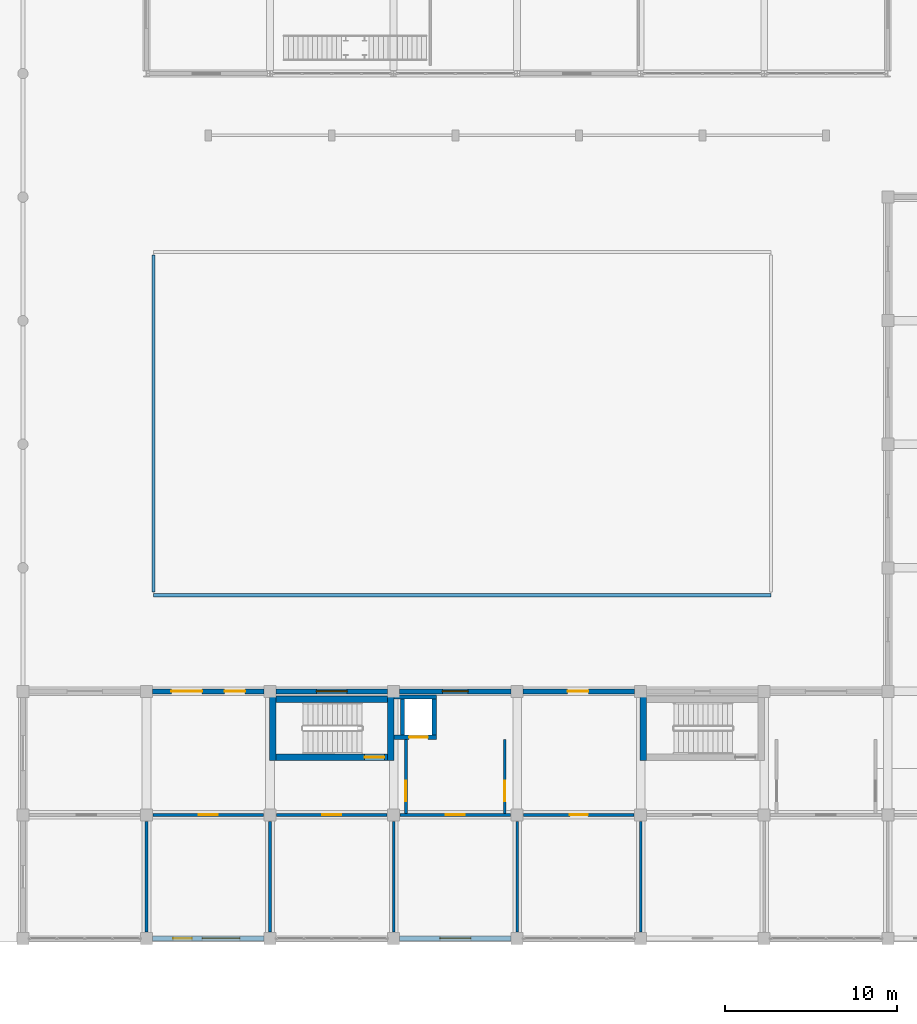
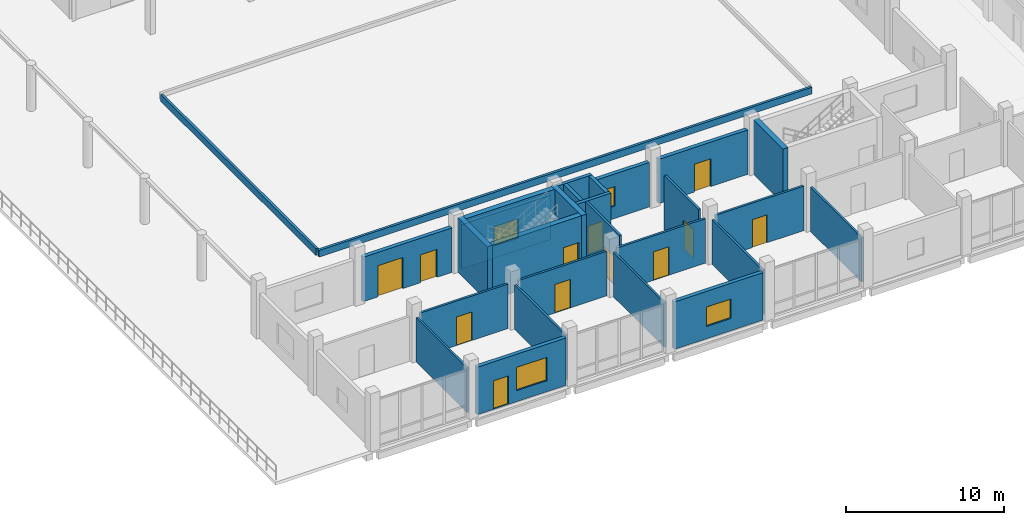
# One storey, part 120 of 139: 28 walls, 12 doors, 4 windows, 16 openings.
"""IFC4 building model written with IfcOpenShell, lengths in metres."""

from ifc_helpers import new_model, si_unit, direction, frame, frame_2d, origin, place, context, subcontext, project, spatial, rectangle, extrude, material, layer, layer_set, type_object, element, fill, save


model = new_model("IFC4")

# Units and contexts
model_context = context("Model", 3, precision=1e-05, world=origin(), true_north=direction((0.0, 1.0)))
body_context = subcontext(model_context, "Body", "Model", "MODEL_VIEW")
ifc_project = project(units=[si_unit("LENGTHUNIT", "METRE"), si_unit("AREAUNIT", "SQUARE_METRE"), si_unit("VOLUMEUNIT", "CUBIC_METRE"), si_unit("PLANEANGLEUNIT", "RADIAN"), si_unit("MASSUNIT", "GRAM", prefix="KILO")], contexts=[model_context])

# Site, building, storey
site_placement = place(None, origin())
site = spatial("IfcSite", under=ifc_project, at=site_placement, CompositionType="ELEMENT")
building_placement = place(site_placement, origin())
building = spatial("IfcBuilding", under=site, at=building_placement, Name="Suanplinth Sawtooth Commons", CompositionType="ELEMENT")
storey_placement = place(building_placement, origin())
storey = spatial("IfcBuildingStorey", under=building, at=storey_placement, Name="L00", CompositionType="ELEMENT", Elevation=0.0)

# Wall, opening, door
ifc_material_1 = material(Name="Concrete C40/50", Category="concrete")
ifc_layer_1 = layer(ifc_material_1, 0.3798828125, Name="Lower high-rise RC core shear wall 380mm")
ifc_layer_set_1 = layer_set([ifc_layer_1], Name="Concrete C40/50")
wall_type_1 = type_object("IfcWallType", Name="W-CR01", PredefinedType="SHEAR", material=ifc_layer_set_1)
wall_1_placement = place(storey_placement, frame((137.14990234375, 10.56005859375, 0.0), z_axis=(0.0, 0.0, 1.0), x_axis=(1.0, 0.0, 0.0)))
wall_1 = element("IfcWall", 1, at=wall_1_placement, inside=storey, type_object=wall_type_1, Name="W-L00-C-C1-STS", PredefinedType="SHEAR", context=body_context, shape_type="SweptSolid", body=[
    extrude(rectangle(XDim=6.5, YDim=0.3798828125, at=frame_2d((3.25, 0.0))), origin(), (0.0, 0.0, 1.0), 4.199951171875),
])
opening_1_placement = place(wall_1_placement, frame((5.169921875, 0.0, 0.0)))
opening_1 = element("IfcOpeningElement", 2, at=opening_1_placement, cuts=wall_1, Name="Opening FD0280", PredefinedType="OPENING", context=body_context, shape_type="SweptSolid", body=[
    extrude(rectangle(XDim=1.14990234375, YDim=2.199951171875, at=frame_2d((0.574951171875, 1.10009765625))), frame((0.0, 0.204833984375, 0.0), z_axis=(0.0, -1.0, 0.0), x_axis=(1.0, 0.0, 0.0)), (0.0, 0.0, 1.0), 0.40966796875),
])
ifc_material_2 = material(Name="Teak hardwood fire-rated door assembly", Category="wood")
door_type_1 = type_object("IfcDoorType", Name="FD-01", OperationType="NOTDEFINED", PredefinedType="DOOR", material=ifc_material_2)
door_1_placement = place(opening_1_placement, frame((1.14990234375, 0.0, 0.0), z_axis=(0.0, 0.0, 1.0), x_axis=(-1.0, 0.0, 0.0)))
door_1 = element("IfcDoor", 3, at=door_1_placement, inside=storey, type_object=door_type_1, Name="Exit Stair Fire Door FD0280", OperationType="SINGLE_SWING_RIGHT", OverallHeight=2.199951171875, OverallWidth=1.14990234375, PredefinedType="DOOR", context=body_context, shape_type="SweptSolid", body=[
    extrude(rectangle(XDim=1.14990234375, YDim=2.199951171875, at=frame_2d((0.574951171875, 1.10009765625))), frame((0.0, 0.02490234375, 0.0), z_axis=(0.0, -1.0, 0.0), x_axis=(1.0, 0.0, 0.0)), (0.0, 0.0, 1.0), 0.050048828125),
])
fill(opening_1, door_1)

# Walls
wall_2_placement = place(storey_placement, frame((137.14990234375, 13.93994140625, 0.0), z_axis=(0.0, 0.0, 1.0), x_axis=(1.0, 0.0, 0.0)))
element("IfcWall", 4, at=wall_2_placement, inside=storey, type_object=wall_type_1, Name="W-L00-C-C1-STN", PredefinedType="SHEAR", context=body_context, shape_type="SweptSolid", body=[
    extrude(rectangle(XDim=6.5, YDim=0.3798828125, at=frame_2d((3.25, 0.0))), origin(), (0.0, 0.0, 1.0), 4.199951171875),
])
wall_3_placement = place(storey_placement, frame((136.9599609375, 10.3701171875, 0.0), z_axis=(0.0, 0.0, 1.0), x_axis=(0.0, 1.0, 0.0)))
element("IfcWall", 5, at=wall_3_placement, inside=storey, type_object=wall_type_1, Name="W-L00-C-C1-STW", PredefinedType="SHEAR", context=body_context, shape_type="SweptSolid", body=[
    extrude(rectangle(XDim=3.759765625, YDim=0.3798828125, at=frame_2d((1.8798828125, 0.0))), origin(), (0.0, 0.0, 1.0), 4.199951171875),
])
wall_4_placement = place(storey_placement, frame((143.840087890625, 10.3701171875, 0.0), z_axis=(0.0, 0.0, 1.0), x_axis=(0.0, 1.0, 0.0)))
element("IfcWall", 6, at=wall_4_placement, inside=storey, type_object=wall_type_1, Name="W-L00-C-C1-STE", PredefinedType="SHEAR", context=body_context, shape_type="SweptSolid", body=[
    extrude(rectangle(XDim=3.829833984375, YDim=0.3798828125, at=frame_2d((1.9150390625, 0.0))), origin(), (0.0, 0.0, 1.0), 4.199951171875),
])
wall_5_placement = place(storey_placement, frame((158.56005859375, 10.3701171875, 0.0), z_axis=(0.0, 0.0, 1.0), x_axis=(0.0, 1.0, 0.0)))
element("IfcWall", 7, at=wall_5_placement, inside=storey, type_object=wall_type_1, Name="W-L00-C-C2-STW", PredefinedType="SHEAR", context=body_context, shape_type="SweptSolid", body=[
    extrude(rectangle(XDim=3.759765625, YDim=0.3798828125, at=frame_2d((1.8798828125, 0.0))), origin(), (0.0, 0.0, 1.0), 4.199951171875),
])

# Wall, openings, door, window
ifc_material_3 = material(Name="Precast concrete C40/50", Category="concrete")
ifc_layer_2 = layer(ifc_material_3, 0.280029296875, Name="Insulated precast architectural facade wall 280mm")
ifc_layer_set_2 = layer_set([ifc_layer_2], Name="Precast concrete C40/50")
wall_type_2 = type_object("IfcWallType", Name="W-EX01", PredefinedType="ELEMENTEDWALL", material=ifc_layer_set_2)
wall_6_placement = place(storey_placement, frame((129.949951171875, 0.0, 0.0), z_axis=(0.0, 0.0, 1.0), x_axis=(1.0, 0.0, 0.0)))
wall_6 = element("IfcWall", 8, at=wall_6_placement, inside=storey, type_object=wall_type_2, Name="Facade Wall W-L00-C-S-18-0", PredefinedType="ELEMENTEDWALL", context=body_context, shape_type="SweptSolid", body=[
    extrude(rectangle(XDim=6.5, YDim=0.280029296875, at=frame_2d((3.25, 0.0))), origin(), (0.0, 0.0, 1.0), 3.6650390625),
])
opening_2_placement = place(wall_6_placement, frame((1.199951171875, 0.0, 0.0)))
opening_2 = element("IfcOpeningElement", 9, at=opening_2_placement, cuts=wall_6, Name="Opening ED0031", PredefinedType="OPENING", context=body_context, shape_type="SweptSolid", body=[
    extrude(rectangle(XDim=1.10009765625, YDim=2.199951171875, at=frame_2d((0.550048828125, 1.10009765625))), frame((0.0, 0.15478515625, 0.0), z_axis=(0.0, -1.0, 0.0), x_axis=(1.0, 0.0, 0.0)), (0.0, 0.0, 1.0), 0.309814453125),
])
opening_3_placement = place(wall_6_placement, frame((2.89990234375, 0.0, 0.85009765625)))
opening_3 = element("IfcOpeningElement", 10, at=opening_3_placement, cuts=wall_6, Name="Opening W0125", PredefinedType="OPENING", context=body_context, shape_type="SweptSolid", body=[
    extrude(rectangle(XDim=2.199951171875, YDim=1.800048828125, at=frame_2d((1.10009765625, 0.89990234375))), frame((0.0, 0.15478515625, 0.0), z_axis=(0.0, -1.0, 0.0), x_axis=(1.0, 0.0, 0.0)), (0.0, 0.0, 1.0), 0.309814453125),
])
ifc_material_4 = material(Name="Anodized aluminium and clear glass", Category="aluminium")
door_type_2 = type_object("IfcDoorType", Name="ED-06", OperationType="NOTDEFINED", PredefinedType="DOOR", material=ifc_material_4)
door_2_placement = place(opening_2_placement, frame((1.10009765625, 0.0, 0.0), z_axis=(0.0, 0.0, 1.0), x_axis=(-1.0, 0.0, 0.0)))
door_2 = element("IfcDoor", 11, at=door_2_placement, inside=storey, type_object=door_type_2, Name="Ground Shop Entrance C-18", OperationType="SINGLE_SWING_LEFT", OverallHeight=2.199951171875, OverallWidth=1.10009765625, PredefinedType="DOOR", context=body_context, shape_type="SweptSolid", body=[
    extrude(rectangle(XDim=1.10009765625, YDim=2.199951171875, at=frame_2d((0.550048828125, 1.10009765625))), frame((0.0, 0.02490234375, 0.0), z_axis=(0.0, -1.0, 0.0), x_axis=(1.0, 0.0, 0.0)), (0.0, 0.0, 1.0), 0.050048828125),
])
fill(opening_2, door_2)
ifc_material_5 = material(Name="Thermally broken aluminium and low-E double glazing", Category="aluminium")
window_type_1 = type_object("IfcWindowType", Name="WN-11", PartitioningType="TRIPLE_PANEL_VERTICAL", PredefinedType="WINDOW", material=ifc_material_5)
window_1_placement = place(opening_3_placement, origin())
window_1 = element("IfcWindow", 12, at=window_1_placement, inside=storey, type_object=window_type_1, Name="Shopfront Window C-18", OverallHeight=1.800048828125, OverallWidth=2.199951171875, PartitioningType="TRIPLE_PANEL_VERTICAL", PredefinedType="WINDOW", context=body_context, shape_type="SweptSolid", body=[
    extrude(rectangle(XDim=2.199951171875, YDim=1.800048828125, at=frame_2d((1.10009765625, 0.89990234375))), frame((0.0, 0.030029296875, 0.0), z_axis=(0.0, -1.0, 0.0), x_axis=(1.0, 0.0, 0.0)), (0.0, 0.0, 1.0), 0.06005859375),
])
fill(opening_3, window_1)

# Wall, openings, doors
wall_7_placement = place(storey_placement, frame((129.949951171875, 14.39990234375, 0.0), z_axis=(0.0, 0.0, 1.0), x_axis=(1.0, 0.0, 0.0)))
wall_7 = element("IfcWall", 13, at=wall_7_placement, inside=storey, type_object=wall_type_2, Name="Facade Wall W-L00-C-N-18-1", PredefinedType="ELEMENTEDWALL", context=body_context, shape_type="SweptSolid", body=[
    extrude(rectangle(XDim=6.5, YDim=0.280029296875, at=frame_2d((3.25, 0.0))), origin(), (0.0, 0.0, 1.0), 3.43505859375),
])
opening_4_placement = place(wall_7_placement, frame((1.10009765625, 0.0, 0.0)))
opening_4 = element("IfcOpeningElement", 14, at=opening_4_placement, cuts=wall_7, Name="Opening ED0032", PredefinedType="OPENING", context=body_context, shape_type="SweptSolid", body=[
    extrude(rectangle(XDim=1.800048828125, YDim=2.39990234375, at=frame_2d((0.89990234375, 1.199951171875))), frame((0.0, 0.15478515625, 0.0), z_axis=(0.0, -1.0, 0.0), x_axis=(1.0, 0.0, 0.0)), (0.0, 0.0, 1.0), 0.309814453125),
])
opening_5_placement = place(wall_7_placement, frame((4.199951171875, 0.0, 0.0)))
opening_5 = element("IfcOpeningElement", 15, at=opening_5_placement, cuts=wall_7, Name="Opening ED0033", PredefinedType="OPENING", context=body_context, shape_type="SweptSolid", body=[
    extrude(rectangle(XDim=1.199951171875, YDim=2.14990234375, at=frame_2d((0.60009765625, 1.074951171875))), frame((0.0, 0.15478515625, 0.0), z_axis=(0.0, -1.0, 0.0), x_axis=(1.0, 0.0, 0.0)), (0.0, 0.0, 1.0), 0.309814453125),
])
ifc_material_6 = material(Name="Anodized aluminium and laminated glass", Category="aluminium")
door_type_3 = type_object("IfcDoorType", Name="ED-01", OperationType="DOUBLE_DOOR_SINGLE_SWING", PredefinedType="DOOR", material=ifc_material_6)
door_3_placement = place(opening_4_placement, frame((1.800048828125, 0.0, 0.0), z_axis=(0.0, 0.0, 1.0), x_axis=(-1.0, 0.0, 0.0)))
door_3 = element("IfcDoor", 16, at=door_3_placement, inside=storey, type_object=door_type_3, Name="Wing C Main Entrance", OperationType="DOUBLE_DOOR_SINGLE_SWING", OverallHeight=2.39990234375, OverallWidth=1.800048828125, PredefinedType="DOOR", context=body_context, shape_type="SweptSolid", body=[
    extrude(rectangle(XDim=1.800048828125, YDim=2.39990234375, at=frame_2d((0.89990234375, 1.199951171875))), frame((0.0, 0.02490234375, 0.0), z_axis=(0.0, -1.0, 0.0), x_axis=(1.0, 0.0, 0.0)), (0.0, 0.0, 1.0), 0.050048828125),
])
fill(opening_4, door_3)
ifc_material_7 = material(Name="Galvanized painted steel", Category="steel")
door_type_4 = type_object("IfcDoorType", Name="ED-07", OperationType="NOTDEFINED", PredefinedType="DOOR", material=ifc_material_7)
door_4_placement = place(opening_5_placement, frame((1.199951171875, 0.0, 0.0), z_axis=(0.0, 0.0, 1.0), x_axis=(-1.0, 0.0, 0.0)))
door_4 = element("IfcDoor", 17, at=door_4_placement, inside=storey, type_object=door_type_4, Name="Stair Final Discharge 1 C", OperationType="SINGLE_SWING_LEFT", OverallHeight=2.14990234375, OverallWidth=1.199951171875, PredefinedType="DOOR", context=body_context, shape_type="SweptSolid", body=[
    extrude(rectangle(XDim=1.199951171875, YDim=2.14990234375, at=frame_2d((0.60009765625, 1.074951171875))), frame((0.0, 0.02490234375, 0.0), z_axis=(0.0, -1.0, 0.0), x_axis=(1.0, 0.0, 0.0)), (0.0, 0.0, 1.0), 0.050048828125),
])
fill(opening_5, door_4)

# Wall, opening, window
wall_8_placement = place(storey_placement, frame((137.14990234375, 14.39990234375, 0.0), z_axis=(0.0, 0.0, 1.0), x_axis=(1.0, 0.0, 0.0)))
wall_8 = element("IfcWall", 18, at=wall_8_placement, inside=storey, type_object=wall_type_2, Name="Facade Wall W-L00-C-N-19-1", PredefinedType="ELEMENTEDWALL", context=body_context, shape_type="SweptSolid", body=[
    extrude(rectangle(XDim=6.5, YDim=0.280029296875, at=frame_2d((3.25, 0.0))), origin(), (0.0, 0.0, 1.0), 3.43505859375),
])
opening_6_placement = place(wall_8_placement, frame((2.35009765625, 0.0, 0.949951171875)))
opening_6 = element("IfcOpeningElement", 19, at=opening_6_placement, cuts=wall_8, Name="Opening W0126", PredefinedType="OPENING", context=body_context, shape_type="SweptSolid", body=[
    extrude(rectangle(XDim=1.800048828125, YDim=1.5, at=frame_2d((0.89990234375, 0.75))), frame((0.0, 0.15478515625, 0.0), z_axis=(0.0, -1.0, 0.0), x_axis=(1.0, 0.0, 0.0)), (0.0, 0.0, 1.0), 0.309814453125),
])
window_type_2 = type_object("IfcWindowType", Name="WN-01", PartitioningType="DOUBLE_PANEL_VERTICAL", PredefinedType="WINDOW", material=ifc_material_5)
window_2_placement = place(opening_6_placement, origin())
window_2 = element("IfcWindow", 20, at=window_2_placement, inside=storey, type_object=window_type_2, Name="Window L00-C-N-19-1", OverallHeight=1.5, OverallWidth=1.800048828125, PartitioningType="DOUBLE_PANEL_VERTICAL", PredefinedType="WINDOW", context=body_context, shape_type="SweptSolid", body=[
    extrude(rectangle(XDim=1.800048828125, YDim=1.5, at=frame_2d((0.89990234375, 0.75))), frame((0.0, 0.030029296875, 0.0), z_axis=(0.0, -1.0, 0.0), x_axis=(1.0, 0.0, 0.0)), (0.0, 0.0, 1.0), 0.06005859375),
])
fill(opening_6, window_2)

wall_9_placement = place(storey_placement, frame((144.35009765625, 0.0, 0.0), z_axis=(0.0, 0.0, 1.0), x_axis=(1.0, 0.0, 0.0)))
wall_9 = element("IfcWall", 21, at=wall_9_placement, inside=storey, type_object=wall_type_2, Name="Facade Wall W-L00-C-S-20-0", PredefinedType="ELEMENTEDWALL", context=body_context, shape_type="SweptSolid", body=[
    extrude(rectangle(XDim=6.5, YDim=0.280029296875, at=frame_2d((3.25, 0.0))), origin(), (0.0, 0.0, 1.0), 3.6650390625),
])
opening_7_placement = place(wall_9_placement, frame((2.35009765625, 0.0, 0.949951171875)))
opening_7 = element("IfcOpeningElement", 22, at=opening_7_placement, cuts=wall_9, Name="Opening W0127", PredefinedType="OPENING", context=body_context, shape_type="SweptSolid", body=[
    extrude(rectangle(XDim=1.800048828125, YDim=1.5, at=frame_2d((0.89990234375, 0.75))), frame((0.0, 0.15478515625, 0.0), z_axis=(0.0, -1.0, 0.0), x_axis=(1.0, 0.0, 0.0)), (0.0, 0.0, 1.0), 0.309814453125),
])
window_3_placement = place(opening_7_placement, origin())
window_3 = element("IfcWindow", 23, at=window_3_placement, inside=storey, type_object=window_type_2, Name="Window L00-C-S-20-0", OverallHeight=1.5, OverallWidth=1.800048828125, PartitioningType="DOUBLE_PANEL_VERTICAL", PredefinedType="WINDOW", context=body_context, shape_type="SweptSolid", body=[
    extrude(rectangle(XDim=1.800048828125, YDim=1.5, at=frame_2d((0.89990234375, 0.75))), frame((0.0, 0.030029296875, 0.0), z_axis=(0.0, -1.0, 0.0), x_axis=(1.0, 0.0, 0.0)), (0.0, 0.0, 1.0), 0.06005859375),
])
fill(opening_7, window_3)

wall_10_placement = place(storey_placement, frame((144.35009765625, 14.39990234375, 0.0), z_axis=(0.0, 0.0, 1.0), x_axis=(1.0, 0.0, 0.0)))
wall_10 = element("IfcWall", 24, at=wall_10_placement, inside=storey, type_object=wall_type_2, Name="Facade Wall W-L00-C-N-20-1", PredefinedType="ELEMENTEDWALL", context=body_context, shape_type="SweptSolid", body=[
    extrude(rectangle(XDim=6.5, YDim=0.280029296875, at=frame_2d((3.25, 0.0))), origin(), (0.0, 0.0, 1.0), 3.43505859375),
])
opening_8_placement = place(wall_10_placement, frame((2.5, 0.0, 0.949951171875)))
opening_8 = element("IfcOpeningElement", 25, at=opening_8_placement, cuts=wall_10, Name="Opening W0128", PredefinedType="OPENING", context=body_context, shape_type="SweptSolid", body=[
    extrude(rectangle(XDim=1.5, YDim=1.5, at=frame_2d((0.75, 0.75))), frame((0.0, 0.15478515625, 0.0), z_axis=(0.0, -1.0, 0.0), x_axis=(1.0, 0.0, 0.0)), (0.0, 0.0, 1.0), 0.309814453125),
])
window_type_3 = type_object("IfcWindowType", Name="WN-02", PartitioningType="DOUBLE_PANEL_VERTICAL", PredefinedType="WINDOW", material=ifc_material_5)
window_4_placement = place(opening_8_placement, origin())
window_4 = element("IfcWindow", 26, at=window_4_placement, inside=storey, type_object=window_type_3, Name="Window L00-C-N-20-1", OverallHeight=1.5, OverallWidth=1.5, PartitioningType="DOUBLE_PANEL_VERTICAL", PredefinedType="WINDOW", context=body_context, shape_type="SweptSolid", body=[
    extrude(rectangle(XDim=1.5, YDim=1.5, at=frame_2d((0.75, 0.75))), frame((0.0, 0.030029296875, 0.0), z_axis=(0.0, -1.0, 0.0), x_axis=(1.0, 0.0, 0.0)), (0.0, 0.0, 1.0), 0.06005859375),
])
fill(opening_8, window_4)

# Wall, opening, door
wall_11_placement = place(storey_placement, frame((151.550048828125, 14.39990234375, 0.0), z_axis=(0.0, 0.0, 1.0), x_axis=(1.0, 0.0, 0.0)))
wall_11 = element("IfcWall", 27, at=wall_11_placement, inside=storey, type_object=wall_type_2, Name="Facade Wall W-L00-C-N-21-1", PredefinedType="ELEMENTEDWALL", context=body_context, shape_type="SweptSolid", body=[
    extrude(rectangle(XDim=6.5, YDim=0.280029296875, at=frame_2d((3.25, 0.0))), origin(), (0.0, 0.0, 1.0), 3.43505859375),
])
opening_9_placement = place(wall_11_placement, frame((2.60009765625, 0.0, 0.0)))
opening_9 = element("IfcOpeningElement", 28, at=opening_9_placement, cuts=wall_11, Name="Opening ED0034", PredefinedType="OPENING", context=body_context, shape_type="SweptSolid", body=[
    extrude(rectangle(XDim=1.199951171875, YDim=2.14990234375, at=frame_2d((0.60009765625, 1.074951171875))), frame((0.0, 0.15478515625, 0.0), z_axis=(0.0, -1.0, 0.0), x_axis=(1.0, 0.0, 0.0)), (0.0, 0.0, 1.0), 0.309814453125),
])
door_5_placement = place(opening_9_placement, frame((1.199951171875, 0.0, 0.0), z_axis=(0.0, 0.0, 1.0), x_axis=(-1.0, 0.0, 0.0)))
door_5 = element("IfcDoor", 29, at=door_5_placement, inside=storey, type_object=door_type_4, Name="Stair Final Discharge 2 C", OperationType="SINGLE_SWING_LEFT", OverallHeight=2.14990234375, OverallWidth=1.199951171875, PredefinedType="DOOR", context=body_context, shape_type="SweptSolid", body=[
    extrude(rectangle(XDim=1.199951171875, YDim=2.14990234375, at=frame_2d((0.60009765625, 1.074951171875))), frame((0.0, 0.02490234375, 0.0), z_axis=(0.0, -1.0, 0.0), x_axis=(1.0, 0.0, 0.0)), (0.0, 0.0, 1.0), 0.050048828125),
])
fill(opening_9, door_5)

ifc_layer_3 = layer(ifc_material_3, 0.159912109375, Name="Fire-rated corridor and lobby wall 160mm")
ifc_layer_set_3 = layer_set([ifc_layer_3], Name="Precast concrete C40/50")
wall_type_3 = type_object("IfcWallType", Name="W-FW01", PredefinedType="PARTITIONING", material=ifc_layer_set_3)
wall_12_placement = place(storey_placement, frame((144.719970703125, 7.280029296875, 0.0), z_axis=(0.0, 0.0, 1.0), x_axis=(0.0, 1.0, 0.0)))
wall_12 = element("IfcWall", 30, at=wall_12_placement, inside=storey, type_object=wall_type_3, Name="W-L00-C-C1-LOB-W", PredefinedType="PARTITIONING", context=body_context, shape_type="SweptSolid", body=[
    extrude(rectangle(XDim=4.320068359375, YDim=0.159912109375, at=frame_2d((2.16015625, 0.0))), origin(), (0.0, 0.0, 1.0), 4.199951171875),
])
opening_10_placement = place(wall_12_placement, frame((0.719970703125, 0.0, 0.0)))
opening_10 = element("IfcOpeningElement", 31, at=opening_10_placement, cuts=wall_12, Name="Opening FD0281", PredefinedType="OPENING", context=body_context, shape_type="SweptSolid", body=[
    extrude(rectangle(XDim=1.199951171875, YDim=2.199951171875, at=frame_2d((0.60009765625, 1.10009765625))), frame((0.0, 0.0947265625, 0.0), z_axis=(0.0, -1.0, 0.0), x_axis=(1.0, 0.0, 0.0)), (0.0, 0.0, 1.0), 0.189697265625),
])
door_type_5 = type_object("IfcDoorType", Name="FD-02", OperationType="NOTDEFINED", PredefinedType="DOOR", material=ifc_material_2)
door_6_placement = place(opening_10_placement, origin())
door_6 = element("IfcDoor", 32, at=door_6_placement, inside=storey, type_object=door_type_5, Name="Lobby Fire Door FD0281", OperationType="SINGLE_SWING_LEFT", OverallHeight=2.199951171875, OverallWidth=1.199951171875, PredefinedType="DOOR", context=body_context, shape_type="SweptSolid", body=[
    extrude(rectangle(XDim=1.199951171875, YDim=2.199951171875, at=frame_2d((0.60009765625, 1.10009765625))), frame((0.0, 0.02490234375, 0.0), z_axis=(0.0, -1.0, 0.0), x_axis=(1.0, 0.0, 0.0)), (0.0, 0.0, 1.0), 0.050048828125),
])
fill(opening_10, door_6)

wall_13_placement = place(storey_placement, frame((150.47998046875, 7.280029296875, 0.0), z_axis=(0.0, 0.0, 1.0), x_axis=(0.0, 1.0, 0.0)))
wall_13 = element("IfcWall", 33, at=wall_13_placement, inside=storey, type_object=wall_type_3, Name="W-L00-C-C1-LOB-E", PredefinedType="PARTITIONING", context=body_context, shape_type="SweptSolid", body=[
    extrude(rectangle(XDim=4.320068359375, YDim=0.159912109375, at=frame_2d((2.16015625, 0.0))), origin(), (0.0, 0.0, 1.0), 4.199951171875),
])
opening_11_placement = place(wall_13_placement, frame((0.719970703125, 0.0, 0.0)))
opening_11 = element("IfcOpeningElement", 34, at=opening_11_placement, cuts=wall_13, Name="Opening FD0282", PredefinedType="OPENING", context=body_context, shape_type="SweptSolid", body=[
    extrude(rectangle(XDim=1.199951171875, YDim=2.199951171875, at=frame_2d((0.60009765625, 1.10009765625))), frame((0.0, 0.0947265625, 0.0), z_axis=(0.0, -1.0, 0.0), x_axis=(1.0, 0.0, 0.0)), (0.0, 0.0, 1.0), 0.189697265625),
])
door_7_placement = place(opening_11_placement, frame((1.199951171875, 0.0, 0.0), z_axis=(0.0, 0.0, 1.0), x_axis=(-1.0, 0.0, 0.0)))
door_7 = element("IfcDoor", 35, at=door_7_placement, inside=storey, type_object=door_type_5, Name="Lobby Fire Door FD0282", OperationType="SINGLE_SWING_RIGHT", OverallHeight=2.199951171875, OverallWidth=1.199951171875, PredefinedType="DOOR", context=body_context, shape_type="SweptSolid", body=[
    extrude(rectangle(XDim=1.199951171875, YDim=2.199951171875, at=frame_2d((0.60009765625, 1.10009765625))), frame((0.0, 0.02490234375, 0.0), z_axis=(0.0, -1.0, 0.0), x_axis=(1.0, 0.0, 0.0)), (0.0, 0.0, 1.0), 0.050048828125),
])
fill(opening_11, door_7)

wall_14_placement = place(storey_placement, frame((129.97998046875, 7.199951171875, 0.0), z_axis=(0.0, 0.0, 1.0), x_axis=(1.0, 0.0, 0.0)))
wall_14 = element("IfcWall", 36, at=wall_14_placement, inside=storey, type_object=wall_type_3, Name="W-C-L00-GROUNDROOM-30-COR", PredefinedType="PARTITIONING", context=body_context, shape_type="SweptSolid", body=[
    extrude(rectangle(XDim=6.43994140625, YDim=0.159912109375, at=frame_2d((3.219970703125, 0.0))), origin(), (0.0, 0.0, 1.0), 3.43505859375),
])
opening_12_placement = place(wall_14_placement, frame((2.659912109375, 0.0, 0.0)))
opening_12 = element("IfcOpeningElement", 37, at=opening_12_placement, cuts=wall_14, Name="Opening D0500", PredefinedType="OPENING", context=body_context, shape_type="SweptSolid", body=[
    extrude(rectangle(XDim=1.1201171875, YDim=2.199951171875, at=frame_2d((0.56005859375, 1.10009765625))), frame((0.0, 0.0947265625, 0.0), z_axis=(0.0, -1.0, 0.0), x_axis=(1.0, 0.0, 0.0)), (0.0, 0.0, 1.0), 0.189697265625),
])
ifc_material_8 = material(Name="Teak hardwood", Category="wood")
door_type_6 = type_object("IfcDoorType", Name="D-18", OperationType="NOTDEFINED", PredefinedType="DOOR", material=ifc_material_8)
door_8_placement = place(opening_12_placement, frame((1.1201171875, 0.0, 0.0), z_axis=(0.0, 0.0, 1.0), x_axis=(-1.0, 0.0, 0.0)))
door_8 = element("IfcDoor", 38, at=door_8_placement, inside=storey, type_object=door_type_6, Name="Unit Entrance Door D0500", OperationType="SINGLE_SWING_RIGHT", OverallHeight=2.199951171875, OverallWidth=1.1201171875, PredefinedType="DOOR", context=body_context, shape_type="SweptSolid", body=[
    extrude(rectangle(XDim=1.1201171875, YDim=2.199951171875, at=frame_2d((0.56005859375, 1.10009765625))), frame((0.0, 0.02490234375, 0.0), z_axis=(0.0, -1.0, 0.0), x_axis=(1.0, 0.0, 0.0)), (0.0, 0.0, 1.0), 0.050048828125),
])
fill(opening_12, door_8)

wall_15_placement = place(storey_placement, frame((137.179931640625, 7.199951171875, 0.0), z_axis=(0.0, 0.0, 1.0), x_axis=(1.0, 0.0, 0.0)))
wall_15 = element("IfcWall", 39, at=wall_15_placement, inside=storey, type_object=wall_type_3, Name="W-C-L00-GROUNDROOM-31-COR", PredefinedType="PARTITIONING", context=body_context, shape_type="SweptSolid", body=[
    extrude(rectangle(XDim=6.440185546875, YDim=0.159912109375, at=frame_2d((3.22021484375, 0.0))), origin(), (0.0, 0.0, 1.0), 3.43505859375),
])
opening_13_placement = place(wall_15_placement, frame((2.659912109375, 0.0, 0.0)))
opening_13 = element("IfcOpeningElement", 40, at=opening_13_placement, cuts=wall_15, Name="Opening D0501", PredefinedType="OPENING", context=body_context, shape_type="SweptSolid", body=[
    extrude(rectangle(XDim=1.1201171875, YDim=2.199951171875, at=frame_2d((0.56005859375, 1.10009765625))), frame((0.0, 0.0947265625, 0.0), z_axis=(0.0, -1.0, 0.0), x_axis=(1.0, 0.0, 0.0)), (0.0, 0.0, 1.0), 0.189697265625),
])
door_9_placement = place(opening_13_placement, frame((1.1201171875, 0.0, 0.0), z_axis=(0.0, 0.0, 1.0), x_axis=(-1.0, 0.0, 0.0)))
door_9 = element("IfcDoor", 41, at=door_9_placement, inside=storey, type_object=door_type_6, Name="Unit Entrance Door D0501", OperationType="SINGLE_SWING_LEFT", OverallHeight=2.199951171875, OverallWidth=1.1201171875, PredefinedType="DOOR", context=body_context, shape_type="SweptSolid", body=[
    extrude(rectangle(XDim=1.1201171875, YDim=2.199951171875, at=frame_2d((0.56005859375, 1.10009765625))), frame((0.0, 0.02490234375, 0.0), z_axis=(0.0, -1.0, 0.0), x_axis=(1.0, 0.0, 0.0)), (0.0, 0.0, 1.0), 0.050048828125),
])
fill(opening_13, door_9)

wall_16_placement = place(storey_placement, frame((144.3798828125, 7.199951171875, 0.0), z_axis=(0.0, 0.0, 1.0), x_axis=(1.0, 0.0, 0.0)))
wall_16 = element("IfcWall", 42, at=wall_16_placement, inside=storey, type_object=wall_type_3, Name="W-C-L00-GROUNDROOM-32-COR", PredefinedType="PARTITIONING", context=body_context, shape_type="SweptSolid", body=[
    extrude(rectangle(XDim=6.440185546875, YDim=0.159912109375, at=frame_2d((3.22021484375, 0.0))), origin(), (0.0, 0.0, 1.0), 3.43505859375),
])
opening_14_placement = place(wall_16_placement, frame((2.659912109375, 0.0, 0.0)))
opening_14 = element("IfcOpeningElement", 43, at=opening_14_placement, cuts=wall_16, Name="Opening D0502", PredefinedType="OPENING", context=body_context, shape_type="SweptSolid", body=[
    extrude(rectangle(XDim=1.1201171875, YDim=2.199951171875, at=frame_2d((0.56005859375, 1.10009765625))), frame((0.0, 0.0947265625, 0.0), z_axis=(0.0, -1.0, 0.0), x_axis=(1.0, 0.0, 0.0)), (0.0, 0.0, 1.0), 0.189697265625),
])
door_10_placement = place(opening_14_placement, frame((1.1201171875, 0.0, 0.0), z_axis=(0.0, 0.0, 1.0), x_axis=(-1.0, 0.0, 0.0)))
door_10 = element("IfcDoor", 44, at=door_10_placement, inside=storey, type_object=door_type_6, Name="Unit Entrance Door D0502", OperationType="SINGLE_SWING_RIGHT", OverallHeight=2.199951171875, OverallWidth=1.1201171875, PredefinedType="DOOR", context=body_context, shape_type="SweptSolid", body=[
    extrude(rectangle(XDim=1.1201171875, YDim=2.199951171875, at=frame_2d((0.56005859375, 1.10009765625))), frame((0.0, 0.02490234375, 0.0), z_axis=(0.0, -1.0, 0.0), x_axis=(1.0, 0.0, 0.0)), (0.0, 0.0, 1.0), 0.050048828125),
])
fill(opening_14, door_10)

wall_17_placement = place(storey_placement, frame((151.580078125, 7.199951171875, 0.0), z_axis=(0.0, 0.0, 1.0), x_axis=(1.0, 0.0, 0.0)))
wall_17 = element("IfcWall", 45, at=wall_17_placement, inside=storey, type_object=wall_type_3, Name="W-C-L00-GROUNDROOM-33-COR", PredefinedType="PARTITIONING", context=body_context, shape_type="SweptSolid", body=[
    extrude(rectangle(XDim=6.43994140625, YDim=0.159912109375, at=frame_2d((3.219970703125, 0.0))), origin(), (0.0, 0.0, 1.0), 3.43505859375),
])
opening_15_placement = place(wall_17_placement, frame((2.695068359375, 0.0, 0.0)))
opening_15 = element("IfcOpeningElement", 46, at=opening_15_placement, cuts=wall_17, Name="Opening FD0503", PredefinedType="OPENING", context=body_context, shape_type="SweptSolid", body=[
    extrude(rectangle(XDim=1.050048828125, YDim=2.14990234375, at=frame_2d((0.52490234375, 1.074951171875))), frame((0.0, 0.0947265625, 0.0), z_axis=(0.0, -1.0, 0.0), x_axis=(1.0, 0.0, 0.0)), (0.0, 0.0, 1.0), 0.189697265625),
])
door_type_7 = type_object("IfcDoorType", Name="FD-04", OperationType="NOTDEFINED", PredefinedType="DOOR", material=ifc_material_2)
door_11_placement = place(opening_15_placement, frame((1.050048828125, 0.0, 0.0), z_axis=(0.0, 0.0, 1.0), x_axis=(-1.0, 0.0, 0.0)))
door_11 = element("IfcDoor", 47, at=door_11_placement, inside=storey, type_object=door_type_7, Name="Unit Entrance Door FD0503", OperationType="SINGLE_SWING_LEFT", OverallHeight=2.14990234375, OverallWidth=1.050048828125, PredefinedType="DOOR", context=body_context, shape_type="SweptSolid", body=[
    extrude(rectangle(XDim=1.050048828125, YDim=2.14990234375, at=frame_2d((0.52490234375, 1.074951171875))), frame((0.0, 0.02490234375, 0.0), z_axis=(0.0, -1.0, 0.0), x_axis=(1.0, 0.0, 0.0)), (0.0, 0.0, 1.0), 0.050048828125),
])
fill(opening_15, door_11)

# Walls
ifc_layer_4 = layer(ifc_material_3, 0.14990234375, Name="Acoustic precast party demising wall 150mm")
ifc_layer_set_4 = layer_set([ifc_layer_4], Name="Precast concrete C40/50")
wall_type_4 = type_object("IfcWallType", Name="W-FW02", PredefinedType="PARTITIONING", material=ifc_layer_set_4)
for number, where, z_axis, x_axis, name in (
    (48, (129.60009765625, 0.3798828125, 0.0), (0.0, 0.0, 1.0), (0.0, 1.0, 0.0), "W-C-L00-GROUNDROOM-29-PTY"),
    (49, (136.800048828125, 0.3798828125, 0.0), (0.0, 0.0, 1.0), (0.0, 1.0, 0.0), "W-C-L00-GROUNDROOM-30-PTY"),
    (50, (144.0, 0.3798828125, 0.0), (0.0, 0.0, 1.0), (0.0, 1.0, 0.0), "W-C-L00-GROUNDROOM-31-PTY"),
    (51, (151.199951171875, 0.3798828125, 0.0), (0.0, 0.0, 1.0), (0.0, 1.0, 0.0), "W-C-L00-GROUNDROOM-32-PTY"),
    (52, (158.39990234375, 0.3798828125, 0.0), (0.0, 0.0, 1.0), (0.0, 1.0, 0.0), "W-C-L00-GROUNDROOM-33-PTY"),
):
    element("IfcWall", number, at=place(storey_placement, frame(where, z_axis=z_axis, x_axis=x_axis)), inside=storey, type_object=wall_type_4, Name=name, PredefinedType="PARTITIONING", context=body_context, shape_type="SweptSolid", body=[
        extrude(rectangle(XDim=6.440185546875, YDim=0.14990234375, at=frame_2d((3.22021484375, 0.0))), origin(), (0.0, 0.0, 1.0), 3.43505859375),
    ])
ifc_layer_5 = layer(ifc_material_3, 0.179931640625, Name="Terrace & courtyard planter kerb wall 180mm")
ifc_layer_set_5 = layer_set([ifc_layer_5], Name="Precast concrete C40/50")
wall_type_5 = type_object("IfcWallType", Name="W-PR02", PredefinedType="PARAPET", material=ifc_layer_set_5)
wall_18_placement = place(storey_placement, frame((130.0, 20.0, 0.0), z_axis=(0.0, 0.0, 1.0), x_axis=(1.0, 0.0, 0.0)))
element("IfcWall", 53, at=wall_18_placement, inside=storey, type_object=wall_type_5, Name="South-East Canal-Court Lotus Planter Kerb S", PredefinedType="PARAPET", context=body_context, shape_type="SweptSolid", body=[
    extrude(rectangle(XDim=36.0, YDim=0.179931640625, at=frame_2d((18.0, 0.0))), origin(), (0.0, 0.0, 1.0), 0.52001953125),
])
wall_19_placement = place(storey_placement, frame((130.0, 20.179931640625, 0.0), z_axis=(0.0, 0.0, 1.0), x_axis=(0.0, 1.0, 0.0)))
element("IfcWall", 54, at=wall_19_placement, inside=storey, type_object=wall_type_5, Name="South-East Canal-Court Lotus Planter Kerb W", PredefinedType="PARAPET", context=body_context, shape_type="SweptSolid", body=[
    extrude(rectangle(XDim=19.64013671875, YDim=0.179931640625, at=frame_2d((9.820068359375, 0.0))), origin(), (0.0, 0.0, 1.0), 0.52001953125),
])

# Wall, opening, door
ifc_layer_6 = layer(ifc_material_3, 0.25, Name="Precast structural shear wall 250mm")
ifc_layer_set_6 = layer_set([ifc_layer_6], Name="Precast concrete C40/50")
wall_type_6 = type_object("IfcWallType", Name="W-SH01", PredefinedType="SHEAR", material=ifc_layer_set_6)
wall_20_placement = place(storey_placement, frame((144.030029296875, 11.72509765625, 0.0), z_axis=(0.0, 0.0, 1.0), x_axis=(1.0, 0.0, 0.0)))
wall_20 = element("IfcWall", 55, at=wall_20_placement, inside=storey, type_object=wall_type_6, Name="W-L00-LF5-S", PredefinedType="SHEAR", context=body_context, shape_type="SweptSolid", body=[
    extrude(rectangle(XDim=2.469970703125, YDim=0.25, at=frame_2d((1.23486328125, 0.0))), origin(), (0.0, 0.0, 1.0), 4.199951171875),
])
opening_16_placement = place(wall_20_placement, frame((0.8701171875, 0.0, 0.0)))
opening_16 = element("IfcOpeningElement", 56, at=opening_16_placement, cuts=wall_20, Name="Opening LD0283", PredefinedType="OPENING", context=body_context, shape_type="SweptSolid", body=[
    extrude(rectangle(XDim=1.10009765625, YDim=2.14990234375, at=frame_2d((0.550048828125, 1.074951171875))), frame((0.0, 0.139892578125, 0.0), z_axis=(0.0, -1.0, 0.0), x_axis=(1.0, 0.0, 0.0)), (0.0, 0.0, 1.0), 0.27978515625),
])
ifc_material_9 = material(Name="Stainless steel Grade 304", Category="steel")
door_type_8 = type_object("IfcDoorType", Name="LD-01", OperationType="SLIDING_TO_LEFT", PredefinedType="DOOR", material=ifc_material_9)
door_12_placement = place(opening_16_placement, frame((1.10009765625, 0.0, 0.0), z_axis=(0.0, 0.0, 1.0), x_axis=(-1.0, 0.0, 0.0)))
door_12 = element("IfcDoor", 57, at=door_12_placement, inside=storey, type_object=door_type_8, Name="Lift Landing Sliding Door LF5 L00", OperationType="SLIDING_TO_LEFT", OverallHeight=2.14990234375, OverallWidth=1.10009765625, PredefinedType="DOOR", context=body_context, shape_type="SweptSolid", body=[
    extrude(rectangle(XDim=1.10009765625, YDim=2.14990234375, at=frame_2d((0.550048828125, 1.074951171875))), frame((0.0, 0.02490234375, 0.0), z_axis=(0.0, -1.0, 0.0), x_axis=(1.0, 0.0, 0.0)), (0.0, 0.0, 1.0), 0.050048828125),
])
fill(opening_16, door_12)

# Walls
wall_21_placement = place(storey_placement, frame((144.030029296875, 14.074951171875, 0.0), z_axis=(0.0, 0.0, 1.0), x_axis=(1.0, 0.0, 0.0)))
element("IfcWall", 58, at=wall_21_placement, inside=storey, type_object=wall_type_6, Name="W-L00-LF5-N", PredefinedType="SHEAR", context=body_context, shape_type="SweptSolid", body=[
    extrude(rectangle(XDim=2.469970703125, YDim=0.25, at=frame_2d((1.23486328125, 0.0))), origin(), (0.0, 0.0, 1.0), 4.199951171875),
])
for number, where, z_axis, x_axis, name in (
    (59, (144.52490234375, 11.85009765625, 0.0), (0.0, 0.0, 1.0), (0.0, 1.0, 0.0), "W-L00-LF5-W"),
    (60, (146.375, 11.85009765625, 0.0), (0.0, 0.0, 1.0), (0.0, 1.0, 0.0), "W-L00-LF5-E"),
):
    element("IfcWall", number, at=place(storey_placement, frame(where, z_axis=z_axis, x_axis=x_axis)), inside=storey, type_object=wall_type_6, Name=name, PredefinedType="SHEAR", context=body_context, shape_type="SweptSolid", body=[
        extrude(rectangle(XDim=2.099853515625, YDim=0.25, at=frame_2d((1.0498046875, 0.0))), origin(), (0.0, 0.0, 1.0), 4.199951171875),
    ])

save(model, "model.ifc")
